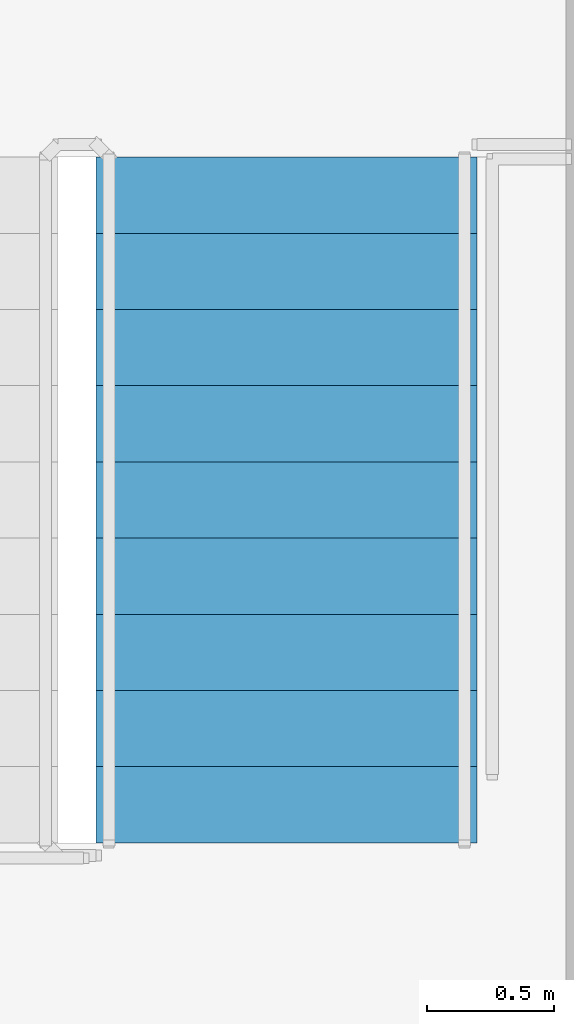
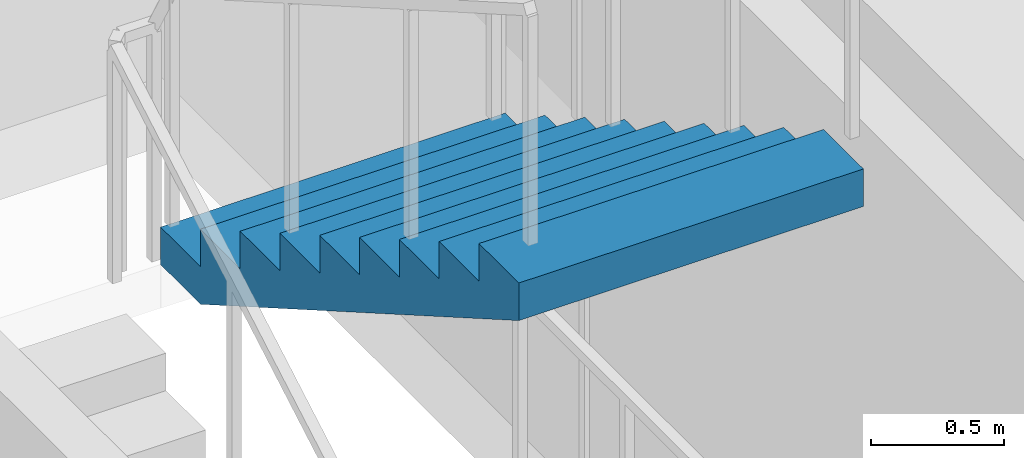
# One storey, part 16 of 21: 1 stair flight, 1 element without a shape of its own.
"""IFC4 building model written with IfcOpenShell, lengths in metres."""

from ifc_helpers import new_model, si_unit, direction, frame, origin, place, context, subcontext, project, spatial, polyline, outline, extrude, material, type_object, element, aggregate, save


model = new_model("IFC4")

# Units and contexts
model_context = context("Model", 3, precision=1e-05, world=origin(), true_north=direction((0.0, 1.0)))
body_context = subcontext(model_context, "Body", "Model", "MODEL_VIEW")
ifc_project = project(units=[si_unit("LENGTHUNIT", "METRE"), si_unit("AREAUNIT", "SQUARE_METRE"), si_unit("VOLUMEUNIT", "CUBIC_METRE"), si_unit("PLANEANGLEUNIT", "RADIAN"), si_unit("MASSUNIT", "GRAM", prefix="KILO")], contexts=[model_context])

# Site, building, storey
site_placement = place(None, origin())
site = spatial("IfcSite", under=ifc_project, at=site_placement, CompositionType="ELEMENT")
building_placement = place(site_placement, origin())
building = spatial("IfcBuilding", under=site, at=building_placement, Name="Vermilion Ogive Tower", CompositionType="ELEMENT")
storey_placement = place(building_placement, frame((0.0, 0.0, 118.35009765625)))
storey = spatial("IfcBuildingStorey", under=building, at=storey_placement, Name="L30", CompositionType="ELEMENT", Elevation=118.35009765625)

# Stair, stair flight
ifc_material_1 = material(Name="Concrete B40", Category="concrete")
stair_type = type_object("IfcStairType", Name="Exit stair 1500", PredefinedType="HALF_TURN_STAIR", material=ifc_material_1)
stair_placement = place(storey_placement, origin())
stair = element("IfcStair", 1, at=stair_placement, inside=storey, type_object=stair_type, Name="L30 Exit Stair ST2", PredefinedType="HALF_TURN_STAIR")
ifc_material_2 = material(Name="Concrete B40", Category="concrete")
stair_flight_type = type_object("IfcStairFlightType", Name="Stair flight 1500", PredefinedType="STRAIGHT", material=ifc_material_2)
stair_flight_placement = place(storey_placement, frame((6.5, 17.550048828125, 1.724853515625), z_axis=(0.0, 0.0, 1.0), x_axis=(0.0, -1.0, 0.0)))
stair_flight = element("IfcStairFlight", 2, at=stair_flight_placement, type_object=stair_flight_type, Name="ST2 flight 2", NumberOfRisers=10, NumberOfTreads=9, PredefinedType="STRAIGHT", RiserHeight=0.1725, TreadLength=0.3, context=body_context, shape_type="SweptSolid", body=[
    extrude(outline(polyline([(0.0, 0.0), (0.0, 0.172607421875), (0.300048828125, 0.172607421875), (0.300048828125, 0.344970703125), (0.60009765625, 0.344970703125), (0.60009765625, 0.517578125), (0.89990234375, 0.517578125), (0.89990234375, 0.68994140625), (1.199951171875, 0.68994140625), (1.199951171875, 0.862548828125), (1.5, 0.862548828125), (1.5, 1.034912109375), (1.800048828125, 1.034912109375), (1.800048828125, 1.20751953125), (2.10009765625, 1.20751953125), (2.10009765625, 1.3798828125), (2.39990234375, 1.3798828125), (2.39990234375, 1.552490234375), (2.699951171875, 1.552490234375), (2.699951171875, 1.72509765625), (2.699951171875, 1.379638671875), (0.30078125, 0.0), (0.0, 0.0)])), frame((0.0, 0.75, 0.0), z_axis=(0.0, -1.0, 0.0), x_axis=(1.0, 0.0, 0.0)), (0.0, 0.0, 1.0), 1.5),
])
aggregate(stair, [stair_flight])

save(model, "model.ifc")
